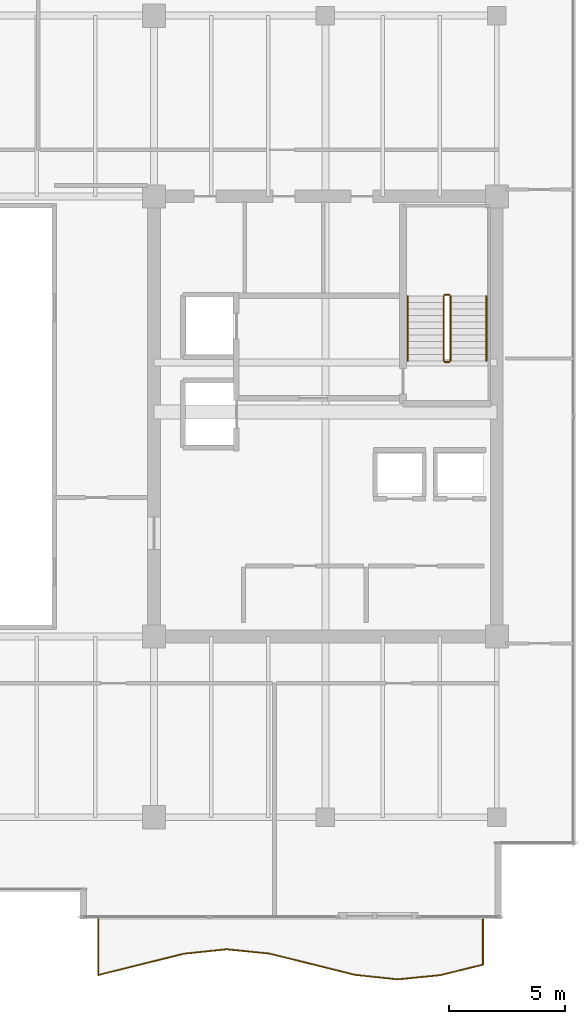
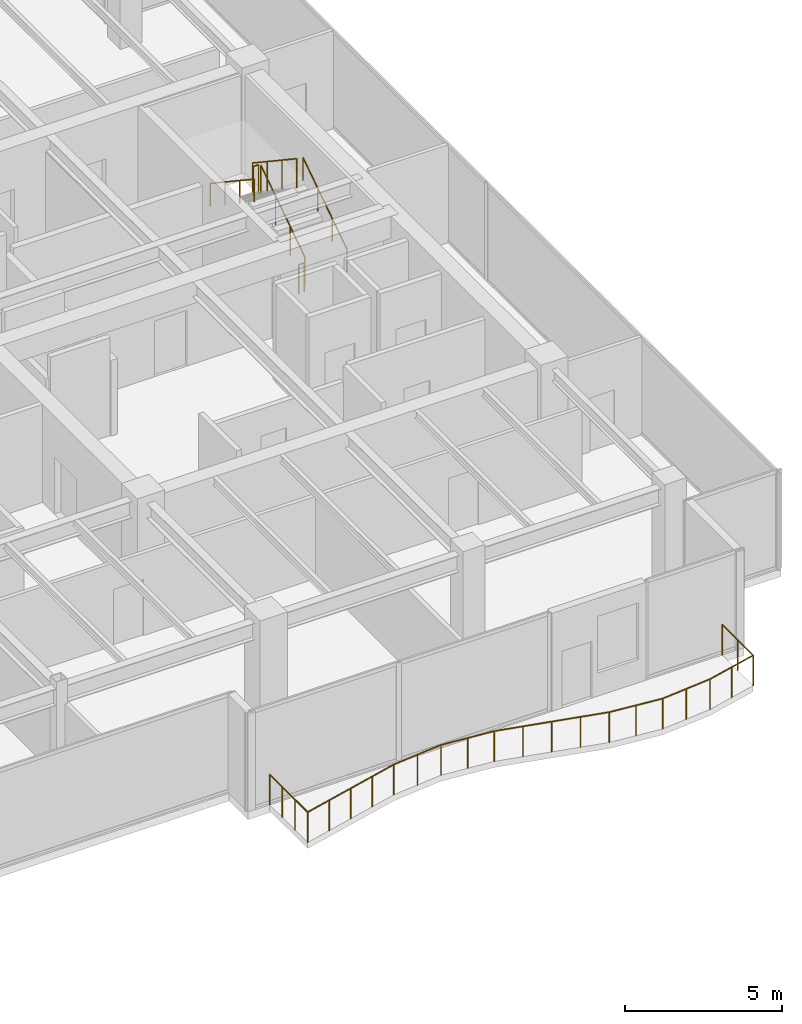
# One storey, part 33 of 34: 7 railings.
"""IFC4 building model written with IfcOpenShell, lengths in metres."""

from ifc_helpers import new_model, si_unit, direction, frame, origin, origin_2d, place, context, subcontext, project, spatial, circle, extrude, source, transform, mapped, material, type_object, type_shapes, element, save


model = new_model("IFC4")

# Units and contexts
model_context = context("Model", 3, precision=1e-05, world=origin(), true_north=direction((0.0, 1.0)))
body_context = subcontext(model_context, "Body", "Model", "MODEL_VIEW")
ifc_project = project(units=[si_unit("LENGTHUNIT", "METRE"), si_unit("AREAUNIT", "SQUARE_METRE"), si_unit("VOLUMEUNIT", "CUBIC_METRE"), si_unit("PLANEANGLEUNIT", "RADIAN"), si_unit("MASSUNIT", "GRAM", prefix="KILO")], contexts=[model_context])

# Site, building, storey
site_placement = place(None, origin())
site = spatial("IfcSite", under=ifc_project, at=site_placement, CompositionType="ELEMENT")
building_placement = place(site_placement, origin())
building = spatial("IfcBuilding", under=site, at=building_placement, Name="Haelvirn Gate Laboratories", CompositionType="ELEMENT")
storey_placement = place(building_placement, frame((0.0, 0.0, 205.5)))
storey = spatial("IfcBuildingStorey", under=building, at=storey_placement, Name="L49", CompositionType="ELEMENT", Elevation=205.5)

# Railings
ifc_material_1 = material(Name="Laminated safety glass & bronze stainless steel 316L", Category="steel")
railing_type_1 = type_object("IfcRailingType", Name="RLG-BAL-1200", PredefinedType="BALUSTRADE", material=ifc_material_1)
shared_shape_1 = source(origin(), body_context, "Body", "SweptSolid", [
    extrude(circle(Radius=0.02392578125, at=origin_2d()), frame((0.0, 0.0, 1.17578125), z_axis=(0.0, -1.0, 0.0), x_axis=(1.0, 0.0, 0.0)), (0.0, 0.0, 1.0), 2.40966796875),
    extrude(circle(Radius=0.02392578125, at=origin_2d()), frame((0.0, -2.40966796875, 1.17578125), z_axis=(0.970526659918, 0.240993780808, 0.0), x_axis=(-0.240993780808, 0.970526659918, 0.0)), (0.0, 0.0, 1.0), 1.900390625),
    extrude(circle(Radius=0.02392578125, at=origin_2d()), frame((1.844482421875, -1.95166015625, 1.17578125), z_axis=(0.970406370256, 0.241477693724, 0.0), x_axis=(-0.241477693724, 0.970406370256, 0.0)), (0.0, 0.0, 1.0), 1.900634765625),
    extrude(circle(Radius=0.02392578125, at=origin_2d()), frame((3.68896484375, -1.49267578125, 1.17578125), z_axis=(0.994590959448, 0.10386926102, 0.0), x_axis=(-0.10386926102, 0.994590959448, 0.0)), (0.0, 0.0, 1.0), 1.8544921875),
    extrude(circle(Radius=0.02392578125, at=origin_2d()), frame((5.533447265625, -1.300048828125, 1.17578125), z_axis=(0.99495207536, -0.100351221896, 0.0), x_axis=(0.100351221896, 0.99495207536, 0.0)), (0.0, 0.0, 1.0), 1.853759765625),
    extrude(circle(Radius=0.02392578125, at=origin_2d()), frame((7.3779296875, -1.486083984375, 1.17578125), z_axis=(0.970729246083, -0.240176457629, 0.0), x_axis=(0.240176457629, 0.970729246083, 0.0)), (0.0, 0.0, 1.0), 1.89990234375),
    extrude(circle(Radius=0.02392578125, at=origin_2d()), frame((9.22216796875, -1.9423828125, 1.17578125), z_axis=(0.970195354945, -0.242324107847, 0.0), x_axis=(0.242324107847, 0.970195354945, 0.0)), (0.0, 0.0, 1.0), 1.901123046875),
    extrude(circle(Radius=0.02392578125, at=origin_2d()), frame((11.066650390625, -2.403076171875, 1.17578125), z_axis=(0.994343457941, -0.106212464667, 0.0), x_axis=(0.106212464667, 0.994343457941, 0.0)), (0.0, 0.0, 1.0), 1.85498046875),
    extrude(circle(Radius=0.02392578125, at=origin_2d()), frame((12.9111328125, -2.60009765625, 1.17578125), z_axis=(0.995173188465, 0.098134219114, 0.0), x_axis=(-0.098134219114, 0.995173188465, 0.0)), (0.0, 0.0, 1.0), 1.853515625),
    extrude(circle(Radius=0.02392578125, at=origin_2d()), frame((14.755615234375, -2.418212890625, 1.17578125), z_axis=(0.97097585942, 0.239177508191, 0.0), x_axis=(-0.239177508191, 0.97097585942, 0.0)), (0.0, 0.0, 1.0), 1.899658203125),
    extrude(circle(Radius=0.02392578125, at=origin_2d()), frame((16.60009765625, -1.9638671875, 1.17578125), z_axis=(0.0, 1.0, 0.0), x_axis=(-1.0, 0.0, 0.0)), (0.0, 0.0, 1.0), 1.9638671875),
    extrude(circle(Radius=0.02099609375, at=origin_2d()), origin(), (0.0, 0.0, 1.0), 1.15185546875),
    extrude(circle(Radius=0.02099609375, at=origin_2d()), frame((0.0, -0.80322265625, 0.0)), (0.0, 0.0, 1.0), 1.15185546875),
    extrude(circle(Radius=0.02099609375, at=origin_2d()), frame((0.0, -1.6064453125, 0.0)), (0.0, 0.0, 1.0), 1.15185546875),
    extrude(circle(Radius=0.02099609375, at=origin_2d()), frame((0.0, -2.40966796875, 0.0)), (0.0, 0.0, 1.0), 1.15185546875),
    extrude(circle(Radius=0.02099609375, at=origin_2d()), frame((0.92236328125, -2.1806640625, 0.0)), (0.0, 0.0, 1.0), 1.15185546875),
    extrude(circle(Radius=0.02099609375, at=origin_2d()), frame((1.844482421875, -1.95166015625, 0.0)), (0.0, 0.0, 1.0), 1.15185546875),
    extrude(circle(Radius=0.02099609375, at=origin_2d()), frame((2.7666015625, -1.72216796875, 0.0)), (0.0, 0.0, 1.0), 1.15185546875),
    extrude(circle(Radius=0.02099609375, at=origin_2d()), frame((3.68896484375, -1.49267578125, 0.0)), (0.0, 0.0, 1.0), 1.15185546875),
    extrude(circle(Radius=0.02099609375, at=origin_2d()), frame((4.611328125, -1.396484375, 0.0)), (0.0, 0.0, 1.0), 1.15185546875),
    extrude(circle(Radius=0.02099609375, at=origin_2d()), frame((5.533447265625, -1.300048828125, 0.0)), (0.0, 0.0, 1.0), 1.15185546875),
    extrude(circle(Radius=0.02099609375, at=origin_2d()), frame((6.45556640625, -1.39306640625, 0.0)), (0.0, 0.0, 1.0), 1.15185546875),
    extrude(circle(Radius=0.02099609375, at=origin_2d()), frame((7.3779296875, -1.486083984375, 0.0)), (0.0, 0.0, 1.0), 1.15185546875),
    extrude(circle(Radius=0.02099609375, at=origin_2d()), frame((8.300048828125, -1.71435546875, 0.0)), (0.0, 0.0, 1.0), 1.15185546875),
    extrude(circle(Radius=0.02099609375, at=origin_2d()), frame((9.22216796875, -1.9423828125, 0.0)), (0.0, 0.0, 1.0), 1.15185546875),
    extrude(circle(Radius=0.02099609375, at=origin_2d()), frame((10.14453125, -2.1728515625, 0.0)), (0.0, 0.0, 1.0), 1.15185546875),
    extrude(circle(Radius=0.02099609375, at=origin_2d()), frame((11.066650390625, -2.403076171875, 0.0)), (0.0, 0.0, 1.0), 1.15185546875),
    extrude(circle(Radius=0.02099609375, at=origin_2d()), frame((11.98876953125, -2.50146484375, 0.0)), (0.0, 0.0, 1.0), 1.15185546875),
    extrude(circle(Radius=0.02099609375, at=origin_2d()), frame((12.9111328125, -2.60009765625, 0.0)), (0.0, 0.0, 1.0), 1.15185546875),
    extrude(circle(Radius=0.02099609375, at=origin_2d()), frame((13.83349609375, -2.50927734375, 0.0)), (0.0, 0.0, 1.0), 1.15185546875),
    extrude(circle(Radius=0.02099609375, at=origin_2d()), frame((14.755615234375, -2.418212890625, 0.0)), (0.0, 0.0, 1.0), 1.15185546875),
    extrude(circle(Radius=0.02099609375, at=origin_2d()), frame((15.677734375, -2.19091796875, 0.0)), (0.0, 0.0, 1.0), 1.15185546875),
    extrude(circle(Radius=0.02099609375, at=origin_2d()), frame((16.60009765625, -1.9638671875, 0.0)), (0.0, 0.0, 1.0), 1.15185546875),
    extrude(circle(Radius=0.02099609375, at=origin_2d()), frame((16.60009765625, -0.98193359375, 0.0)), (0.0, 0.0, 1.0), 1.15185546875),
    extrude(circle(Radius=0.02099609375, at=origin_2d()), frame((16.60009765625, 0.0, 0.0)), (0.0, 0.0, 1.0), 1.15185546875),
])
type_shapes(railing_type_1, [shared_shape_1])
railing_1_placement = place(storey_placement, frame((50.199951171875, 2.60009765625, 0.0)))
element("IfcRailing", 1, at=railing_1_placement, inside=storey, type_object=railing_type_1, Name="L49 Wave Balcony Balustrade EL-S", PredefinedType="BALUSTRADE", context=body_context, shape_type="MappedRepresentation", body=[
    mapped(shared_shape_1, transform((0.0, 0.0, 0.0), scale=1.0)),
])
ifc_material_2 = material(Name="Galvanised steel SM355 & stainless top rail", Category="steel")
railing_type_2 = type_object("IfcRailingType", Name="RL-GUARD-1150", PredefinedType="GUARDRAIL", material=ifc_material_2)
shared_shape_2 = source(origin(), body_context, "Body", "SweptSolid", [
    extrude(circle(Radius=0.02392578125, at=origin_2d()), frame((0.0, 0.0, 1.1259765625), z_axis=(0.0, -0.832452072856, 0.554097055034), x_axis=(1.0, 0.0, 0.0)), (0.0, 0.0, 1.0), 3.363525390625),
    extrude(circle(Radius=0.02099609375, at=origin_2d()), origin(), (0.0, 0.0, 1.0), 1.101806640625),
    extrude(circle(Radius=0.02099609375, at=origin_2d()), frame((0.0, -0.933349609375, 0.621337890625)), (0.0, 0.0, 1.0), 1.101806640625),
    extrude(circle(Radius=0.02099609375, at=origin_2d()), frame((0.0, -1.86669921875, 1.242431640625)), (0.0, 0.0, 1.0), 1.101806640625),
    extrude(circle(Radius=0.02099609375, at=origin_2d()), frame((0.0, -2.800048828125, 1.86376953125)), (0.0, 0.0, 1.0), 1.101806640625),
])
railing_2_placement = place(storey_placement, frame((65.10009765625, 29.5, 2.236328125)))
element("IfcRailing", 2, at=railing_2_placement, inside=storey, type_object=railing_type_2, Name="L49 ST2 stair guard 3", PredefinedType="GUARDRAIL", context=body_context, shape_type="MappedRepresentation", body=[
    mapped(shared_shape_2, transform((0.0, 0.0, 0.0), scale=1.0)),
])
ifc_material_3 = material(Name="Brushed stainless steel 316L", Category="steel")
railing_type_3 = type_object("IfcRailingType", Name="RL-HAND-920", PredefinedType="HANDRAIL", material=ifc_material_3)
shared_shape_3 = source(origin(), body_context, "Body", "SweptSolid", [
    extrude(circle(Radius=0.02392578125, at=origin_2d()), frame((0.0, 0.0, 0.8759765625), z_axis=(0.0, -0.832452072856, 0.554097055034), x_axis=(1.0, 0.0, 0.0)), (0.0, 0.0, 1.0), 3.363525390625),
    extrude(circle(Radius=0.02099609375, at=origin_2d()), origin(), (0.0, 0.0, 1.0), 0.851806640625),
    extrude(circle(Radius=0.02099609375, at=origin_2d()), frame((0.0, -0.933349609375, 0.621337890625)), (0.0, 0.0, 1.0), 0.851806640625),
    extrude(circle(Radius=0.02099609375, at=origin_2d()), frame((0.0, -1.86669921875, 1.242431640625)), (0.0, 0.0, 1.0), 0.851806640625),
    extrude(circle(Radius=0.02099609375, at=origin_2d()), frame((0.0, -2.800048828125, 1.86376953125)), (0.0, 0.0, 1.0), 0.851806640625),
])
railing_3_placement = place(storey_placement, frame((63.550048828125, 29.5, 2.236328125)))
element("IfcRailing", 3, at=railing_3_placement, inside=storey, type_object=railing_type_3, Name="L49 ST2 stair handrail 2", PredefinedType="HANDRAIL", context=body_context, shape_type="MappedRepresentation", body=[
    mapped(shared_shape_3, transform((0.0, 0.0, 0.0), scale=1.0)),
])
shared_shape_4 = source(origin(), body_context, "Body", "SweptSolid", [
    extrude(circle(Radius=0.02392578125, at=origin_2d()), frame((0.0, 0.0, 1.1259765625), z_axis=(0.0, 0.832452072856, 0.554097055034), x_axis=(-1.0, 0.0, 0.0)), (0.0, 0.0, 1.0), 3.363525390625),
    extrude(circle(Radius=0.02099609375, at=origin_2d()), origin(), (0.0, 0.0, 1.0), 1.101806640625),
    extrude(circle(Radius=0.02099609375, at=origin_2d()), frame((0.0, 0.933349609375, 0.621337890625)), (0.0, 0.0, 1.0), 1.101806640625),
    extrude(circle(Radius=0.02099609375, at=origin_2d()), frame((0.0, 1.86669921875, 1.242431640625)), (0.0, 0.0, 1.0), 1.101806640625),
    extrude(circle(Radius=0.02099609375, at=origin_2d()), frame((0.0, 2.800048828125, 1.86376953125)), (0.0, 0.0, 1.0), 1.101806640625),
])
railing_4_placement = place(storey_placement, frame((65.39990234375, 26.699951171875, 0.186279296875)))
element("IfcRailing", 4, at=railing_4_placement, inside=storey, type_object=railing_type_2, Name="L49 ST2 stair guard 1", PredefinedType="GUARDRAIL", context=body_context, shape_type="MappedRepresentation", body=[
    mapped(shared_shape_4, transform((0.0, 0.0, 0.0), scale=1.0)),
])
shared_shape_5 = source(origin(), body_context, "Body", "SweptSolid", [
    extrude(circle(Radius=0.02392578125, at=origin_2d()), frame((0.0, 0.0, 0.8759765625), z_axis=(0.0, 0.832452072856, 0.554097055034), x_axis=(-1.0, 0.0, 0.0)), (0.0, 0.0, 1.0), 3.363525390625),
    extrude(circle(Radius=0.02099609375, at=origin_2d()), origin(), (0.0, 0.0, 1.0), 0.851806640625),
    extrude(circle(Radius=0.02099609375, at=origin_2d()), frame((0.0, 0.933349609375, 0.621337890625)), (0.0, 0.0, 1.0), 0.851806640625),
    extrude(circle(Radius=0.02099609375, at=origin_2d()), frame((0.0, 1.86669921875, 1.242431640625)), (0.0, 0.0, 1.0), 0.851806640625),
    extrude(circle(Radius=0.02099609375, at=origin_2d()), frame((0.0, 2.800048828125, 1.86376953125)), (0.0, 0.0, 1.0), 0.851806640625),
])
type_shapes(railing_type_3, [shared_shape_3, shared_shape_5])
railing_5_placement = place(storey_placement, frame((66.949951171875, 26.699951171875, 0.186279296875)))
element("IfcRailing", 5, at=railing_5_placement, inside=storey, type_object=railing_type_3, Name="L49 ST2 stair handrail 1", PredefinedType="HANDRAIL", context=body_context, shape_type="MappedRepresentation", body=[
    mapped(shared_shape_5, transform((0.0, 0.0, 0.0), scale=1.0)),
])
shared_shape_6 = source(origin(), body_context, "Body", "SweptSolid", [
    extrude(circle(Radius=0.02392578125, at=origin_2d()), frame((0.0, 0.0, 1.1259765625), z_axis=(-1.0, 0.0, 0.0), x_axis=(0.0, -1.0, 0.0)), (0.0, 0.0, 1.0), 0.2001953125),
    extrude(circle(Radius=0.02099609375, at=origin_2d()), origin(), (0.0, 0.0, 1.0), 1.101806640625),
    extrude(circle(Radius=0.02099609375, at=origin_2d()), frame((-0.2001953125, 0.0, 0.0)), (0.0, 0.0, 1.0), 1.101806640625),
])
type_shapes(railing_type_2, [shared_shape_2, shared_shape_4, shared_shape_6])
for number, where, name in (
    (6, (65.35009765625, 29.550048828125, 2.050048828125), "L49 ST2 stair guard 2"),
    (7, (65.35009765625, 26.64990234375, 0.0), "L49 ST2 stair guard 4"),
):
    element("IfcRailing", number, at=place(storey_placement, frame(where)), inside=storey, type_object=railing_type_2, Name=name, PredefinedType="GUARDRAIL", context=body_context, shape_type="MappedRepresentation", body=[
        mapped(shared_shape_6, transform((0.0, 0.0, 0.0), scale=1.0)),
    ])

save(model, "model.ifc")
